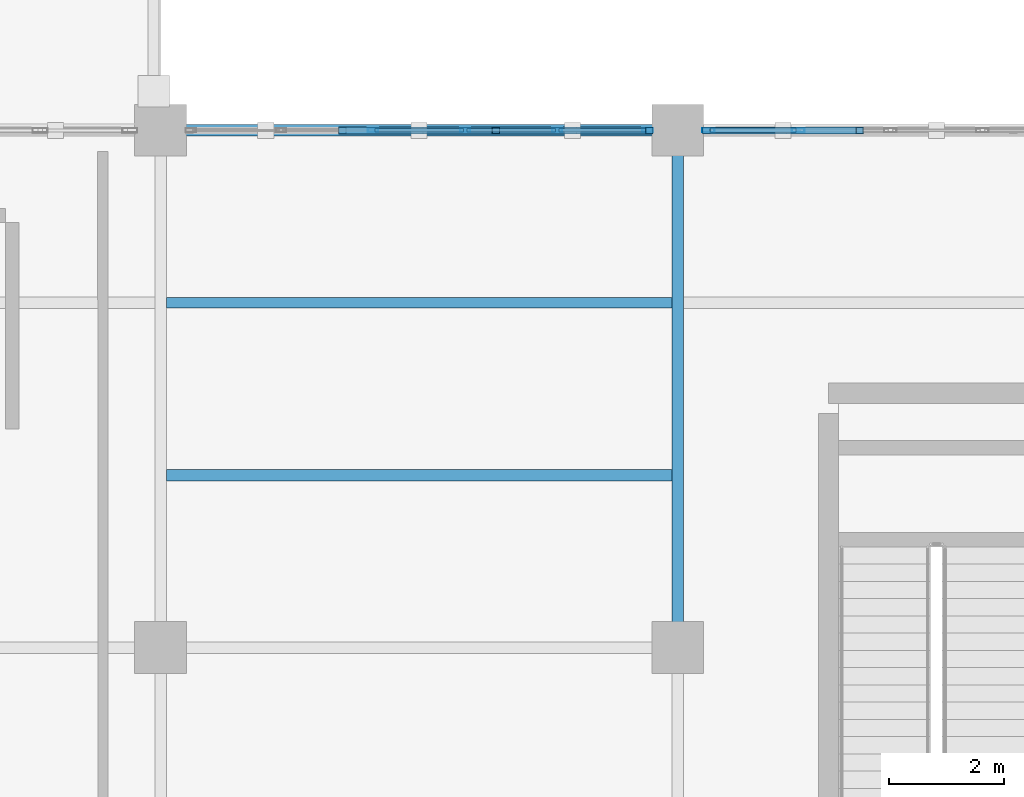
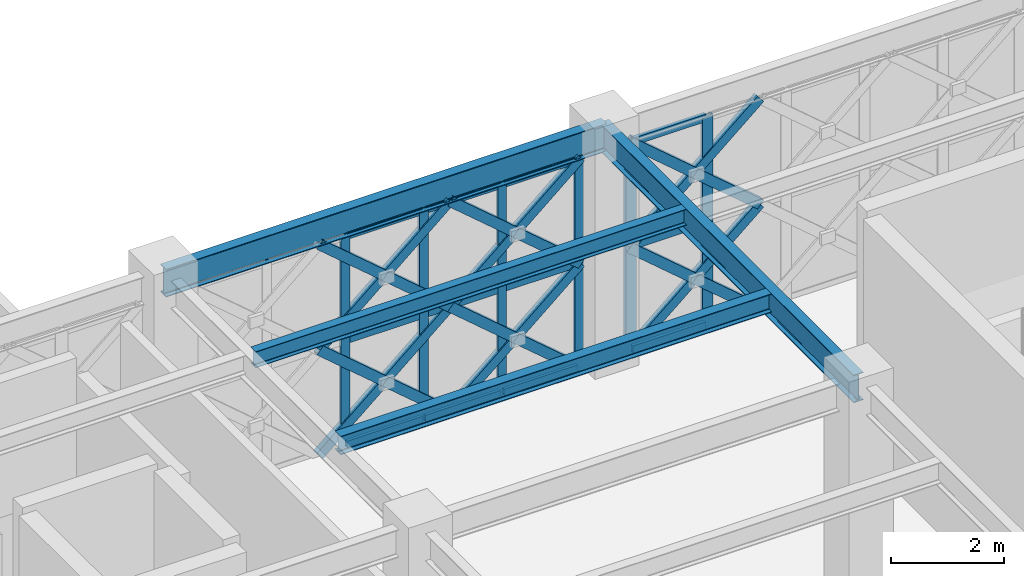
# One storey, part 28 of 155: 36 members, 4 beams, 2 elements without a shape of their own.
"""IFC4 building model written with IfcOpenShell, lengths in metres."""

from ifc_helpers import new_model, si_unit, direction, frame, origin, origin_2d, place, context, subcontext, project, spatial, hollow_rectangle, i_section, extrude, material, material_profile, profile_set, type_object, element, aggregate, save


model = new_model("IFC4")

# Units and contexts
model_context = context("Model", 3, precision=1e-05, world=origin(), true_north=direction((0.0, 1.0)))
body_context = subcontext(model_context, "Body", "Model", "MODEL_VIEW")
ifc_project = project(units=[si_unit("LENGTHUNIT", "METRE"), si_unit("AREAUNIT", "SQUARE_METRE"), si_unit("VOLUMEUNIT", "CUBIC_METRE"), si_unit("PLANEANGLEUNIT", "RADIAN"), si_unit("MASSUNIT", "GRAM", prefix="KILO")], contexts=[model_context])

# Site, building, storey
site_placement = place(None, origin())
site = spatial("IfcSite", under=ifc_project, at=site_placement, CompositionType="ELEMENT")
building_placement = place(site_placement, origin())
building = spatial("IfcBuilding", under=site, at=building_placement, Name="Haizhuo Lancet Aquarium", CompositionType="ELEMENT")
storey_placement = place(building_placement, frame((0.0, 0.0, 10.800048828125)))
storey = spatial("IfcBuildingStorey", under=building, at=storey_placement, Name="L02", CompositionType="ELEMENT", Elevation=10.800048828125)

# Beams
ifc_material_1 = material(Name="Steel S355", Category="steel")
ifc_material_profile_1 = material_profile(ifc_material_1, i_section(OverallWidth=0.199951171875, OverallDepth=0.60009765625, WebThickness=0.010986328125, FlangeThickness=0.01708984375, FilletRadius=0.02197265625, at=origin_2d()), Name="HN 600x200x11x17")
ifc_profile_set_1 = profile_set([ifc_material_profile_1], Name="Steel S355")
beam_type_1 = type_object("IfcBeamType", Name="BM-ST-HN600", PredefinedType="BEAM", material=ifc_profile_set_1)
for number, where, z_axis, x_axis, name in (
    (1, (-54.0, -9.0, 4.85986328125), (1.0, 0.0, 0.0), (0.0, 1.0, 0.0), "L02 V6 primary girder BM-L02-V6-020"),
    (2, (-45.0, -18.0, 4.85986328125), (0.0, 1.0, 0.0), (-1.0, 0.0, 0.0), "L02 V6 primary girder BM-L02-V6-025"),
):
    element("IfcBeam", number, at=place(storey_placement, frame(where, z_axis=z_axis, x_axis=x_axis)), inside=storey, type_object=beam_type_1, Name=name, PredefinedType="BEAM", context=body_context, shape_type="SweptSolid", body=[
        extrude(i_section(OverallWidth=0.199951171875, OverallDepth=0.60009765625, WebThickness=0.010986328125, FlangeThickness=0.01708984375, FilletRadius=0.02197265625, at=origin_2d()), origin(), (0.0, 0.0, 1.0), 9.0),
    ])

# Curtain wall, members
ifc_material_2 = material(Name="Aluminium 6063-T6", Category="aluminium")
curtain_wall_type = type_object("IfcCurtainWallType", Name="CWO-8010x4560", PredefinedType="NOTDEFINED", material=ifc_material_2)
curtain_wall_1_placement = place(storey_placement, origin())
curtain_wall_1 = element("IfcCurtainWall", 3, at=curtain_wall_1_placement, inside=storey, type_object=curtain_wall_type, Name="L02 curtain wall CW-V6-L02-217", PredefinedType="NOTDEFINED")
ifc_material_profile_2 = material_profile(ifc_material_2, hollow_rectangle(XDim=0.06494140625, YDim=0.179931640625, WallThickness=0.00390625, at=origin_2d()), Name="ALU-M 65x180x4")
ifc_profile_set_2 = profile_set([ifc_material_profile_2], Name="Aluminium 6063-T6")
member_type_1 = type_object("IfcMemberType", Name="CW-MUL-1", PredefinedType="MULLION", material=ifc_profile_set_2)
member_1_placement = place(storey_placement, frame((-50.301025390625, -9.0, 0.0), z_axis=(0.0, 0.0, 1.0), x_axis=(0.0, 1.0, 0.0)))
member_1 = element("IfcMember", 4, at=member_1_placement, type_object=member_type_1, Name="CWO-80x45 mullion 3", PredefinedType="MULLION", context=body_context, shape_type="SweptSolid", body=[
    extrude(hollow_rectangle(XDim=0.06494140625, YDim=0.179931640625, WallThickness=0.00390625, at=origin_2d()), origin(), (0.0, 0.0, 1.0), 4.56005859375),
])
member_2_placement = place(storey_placement, frame((-48.698974609375, -9.0, 0.0), z_axis=(0.0, 0.0, 1.0), x_axis=(0.0, 1.0, 0.0)))
member_2 = element("IfcMember", 5, at=member_2_placement, type_object=member_type_1, Name="CWO-80x45 mullion 4", PredefinedType="MULLION", context=body_context, shape_type="SweptSolid", body=[
    extrude(hollow_rectangle(XDim=0.06494140625, YDim=0.179931640625, WallThickness=0.00390625, at=origin_2d()), origin(), (0.0, 0.0, 1.0), 4.56005859375),
])
member_3_placement = place(storey_placement, frame((-47.096923828125, -9.0, 0.0), z_axis=(0.0, 0.0, 1.0), x_axis=(0.0, 1.0, 0.0)))
member_3 = element("IfcMember", 6, at=member_3_placement, type_object=member_type_1, Name="CWO-80x45 mullion 5", PredefinedType="MULLION", context=body_context, shape_type="SweptSolid", body=[
    extrude(hollow_rectangle(XDim=0.06494140625, YDim=0.179931640625, WallThickness=0.00390625, at=origin_2d()), origin(), (0.0, 0.0, 1.0), 4.56005859375),
])
member_4_placement = place(storey_placement, frame((-45.527099609375, -9.0, 0.0), z_axis=(0.0, 0.0, 1.0), x_axis=(0.0, 1.0, 0.0)))
member_4 = element("IfcMember", 7, at=member_4_placement, type_object=member_type_1, Name="CWO-80x45 mullion 6", PredefinedType="MULLION", context=body_context, shape_type="SweptSolid", body=[
    extrude(hollow_rectangle(XDim=0.06494140625, YDim=0.179931640625, WallThickness=0.00390625, at=origin_2d()), origin(), (0.0, 0.0, 1.0), 4.56005859375),
])

curtain_wall_2_placement = place(storey_placement, origin())
curtain_wall_2 = element("IfcCurtainWall", 8, at=curtain_wall_2_placement, inside=storey, type_object=curtain_wall_type, Name="L02 curtain wall CW-V6-L02-218", PredefinedType="NOTDEFINED")
ifc_material_profile_3 = material_profile(ifc_material_2, hollow_rectangle(XDim=0.074951171875, YDim=0.219970703125, WallThickness=0.0048828125, at=origin_2d()), Name="ALU-M 75x220x5")
ifc_profile_set_3 = profile_set([ifc_material_profile_3], Name="Aluminium 6063-T6")
member_type_2 = type_object("IfcMemberType", Name="CW-MUL-2", PredefinedType="MULLION", material=ifc_profile_set_3)
member_5_placement = place(storey_placement, frame((-44.468017578125, -9.0, 0.0), z_axis=(0.0, 0.0, 1.0), x_axis=(0.0, 1.0, 0.0)))
member_5 = element("IfcMember", 9, at=member_5_placement, type_object=member_type_2, Name="CWO-80x45 mullion 1", PredefinedType="MULLION", context=body_context, shape_type="SweptSolid", body=[
    extrude(hollow_rectangle(XDim=0.074951171875, YDim=0.219970703125, WallThickness=0.0048828125, at=origin_2d()), origin(), (0.0, 0.0, 1.0), 4.56005859375),
])
member_6_placement = place(storey_placement, frame((-42.903076171875, -9.0, 0.0), z_axis=(0.0, 0.0, 1.0), x_axis=(0.0, 1.0, 0.0)))
member_6 = element("IfcMember", 10, at=member_6_placement, type_object=member_type_2, Name="CWO-80x45 mullion 2", PredefinedType="MULLION", context=body_context, shape_type="SweptSolid", body=[
    extrude(hollow_rectangle(XDim=0.074951171875, YDim=0.219970703125, WallThickness=0.0048828125, at=origin_2d()), origin(), (0.0, 0.0, 1.0), 4.56005859375),
])

# Member
ifc_material_profile_4 = material_profile(ifc_material_2, hollow_rectangle(XDim=0.06494140625, YDim=0.139892578125, WallThickness=0.00390625, at=origin_2d()), Name="ALU-T 65x140x4")
ifc_profile_set_4 = profile_set([ifc_material_profile_4], Name="Aluminium 6063-T6")
member_type_3 = type_object("IfcMemberType", Name="CW-TRN-1", PredefinedType="NOTDEFINED", material=ifc_profile_set_4)
member_7_placement = place(storey_placement, frame((-50.26904296875, -9.0, 0.032958984375), z_axis=(1.0, 0.0, 0.0), x_axis=(0.0, 1.0, 0.0)))
member_7 = element("IfcMember", 11, at=member_7_placement, type_object=member_type_3, Name="CWO-80x45 transom 3.1", ObjectType="TRANSOM", PredefinedType="USERDEFINED", context=body_context, shape_type="SweptSolid", body=[
    extrude(hollow_rectangle(XDim=0.06494140625, YDim=0.139892578125, WallThickness=0.00390625, at=origin_2d()), origin(), (0.0, 0.0, 1.0), 1.5380859375),
])

member_8_placement = place(storey_placement, frame((-50.26904296875, -9.0, 2.280029296875), z_axis=(1.0, 0.0, 0.0), x_axis=(0.0, 1.0, 0.0)))
member_8 = element("IfcMember", 12, at=member_8_placement, type_object=member_type_3, Name="CWO-80x45 transom 3.2", ObjectType="TRANSOM", PredefinedType="USERDEFINED", context=body_context, shape_type="SweptSolid", body=[
    extrude(hollow_rectangle(XDim=0.06494140625, YDim=0.139892578125, WallThickness=0.00390625, at=origin_2d()), origin(), (0.0, 0.0, 1.0), 1.5380859375),
])

member_9_placement = place(storey_placement, frame((-50.26904296875, -9.0, 4.52685546875), z_axis=(1.0, 0.0, 0.0), x_axis=(0.0, 1.0, 0.0)))
member_9 = element("IfcMember", 13, at=member_9_placement, type_object=member_type_3, Name="CWO-80x45 transom 3.3", ObjectType="TRANSOM", PredefinedType="USERDEFINED", context=body_context, shape_type="SweptSolid", body=[
    extrude(hollow_rectangle(XDim=0.06494140625, YDim=0.139892578125, WallThickness=0.00390625, at=origin_2d()), origin(), (0.0, 0.0, 1.0), 1.5380859375),
])

member_10_placement = place(storey_placement, frame((-48.666015625, -9.0, 0.032958984375), z_axis=(1.0, 0.0, 0.0), x_axis=(0.0, 1.0, 0.0)))
member_10 = element("IfcMember", 14, at=member_10_placement, type_object=member_type_3, Name="CWO-80x45 transom 4.1", ObjectType="TRANSOM", PredefinedType="USERDEFINED", context=body_context, shape_type="SweptSolid", body=[
    extrude(hollow_rectangle(XDim=0.06494140625, YDim=0.139892578125, WallThickness=0.00390625, at=origin_2d()), origin(), (0.0, 0.0, 1.0), 1.5361328125),
])

member_11_placement = place(storey_placement, frame((-48.666015625, -9.0, 2.280029296875), z_axis=(1.0, 0.0, 0.0), x_axis=(0.0, 1.0, 0.0)))
member_11 = element("IfcMember", 15, at=member_11_placement, type_object=member_type_3, Name="CWO-80x45 transom 4.2", ObjectType="TRANSOM", PredefinedType="USERDEFINED", context=body_context, shape_type="SweptSolid", body=[
    extrude(hollow_rectangle(XDim=0.06494140625, YDim=0.139892578125, WallThickness=0.00390625, at=origin_2d()), origin(), (0.0, 0.0, 1.0), 1.5361328125),
])

member_12_placement = place(storey_placement, frame((-48.666015625, -9.0, 4.52685546875), z_axis=(1.0, 0.0, 0.0), x_axis=(0.0, 1.0, 0.0)))
member_12 = element("IfcMember", 16, at=member_12_placement, type_object=member_type_3, Name="CWO-80x45 transom 4.3", ObjectType="TRANSOM", PredefinedType="USERDEFINED", context=body_context, shape_type="SweptSolid", body=[
    extrude(hollow_rectangle(XDim=0.06494140625, YDim=0.139892578125, WallThickness=0.00390625, at=origin_2d()), origin(), (0.0, 0.0, 1.0), 1.5361328125),
])

member_13_placement = place(storey_placement, frame((-47.06396484375, -9.0, 0.032958984375), z_axis=(1.0, 0.0, 0.0), x_axis=(0.0, 1.0, 0.0)))
member_13 = element("IfcMember", 17, at=member_13_placement, type_object=member_type_3, Name="CWO-80x45 transom 5.1", ObjectType="TRANSOM", PredefinedType="USERDEFINED", context=body_context, shape_type="SweptSolid", body=[
    extrude(hollow_rectangle(XDim=0.06494140625, YDim=0.139892578125, WallThickness=0.00390625, at=origin_2d()), origin(), (0.0, 0.0, 1.0), 1.50390625),
])

member_14_placement = place(storey_placement, frame((-47.06396484375, -9.0, 2.280029296875), z_axis=(1.0, 0.0, 0.0), x_axis=(0.0, 1.0, 0.0)))
member_14 = element("IfcMember", 18, at=member_14_placement, type_object=member_type_3, Name="CWO-80x45 transom 5.2", ObjectType="TRANSOM", PredefinedType="USERDEFINED", context=body_context, shape_type="SweptSolid", body=[
    extrude(hollow_rectangle(XDim=0.06494140625, YDim=0.139892578125, WallThickness=0.00390625, at=origin_2d()), origin(), (0.0, 0.0, 1.0), 1.50390625),
])

member_15_placement = place(storey_placement, frame((-47.06396484375, -9.0, 4.52685546875), z_axis=(1.0, 0.0, 0.0), x_axis=(0.0, 1.0, 0.0)))
member_15 = element("IfcMember", 19, at=member_15_placement, type_object=member_type_3, Name="CWO-80x45 transom 5.3", ObjectType="TRANSOM", PredefinedType="USERDEFINED", context=body_context, shape_type="SweptSolid", body=[
    extrude(hollow_rectangle(XDim=0.06494140625, YDim=0.139892578125, WallThickness=0.00390625, at=origin_2d()), origin(), (0.0, 0.0, 1.0), 1.50390625),
])

aggregate(curtain_wall_1, [member_1, member_2, member_3, member_4, member_7, member_8, member_9, member_10, member_11, member_12, member_13, member_14, member_15])

ifc_material_profile_5 = material_profile(ifc_material_2, hollow_rectangle(XDim=0.074951171875, YDim=0.159912109375, WallThickness=0.00390625, at=origin_2d()), Name="ALU-T 75x160x4")
ifc_profile_set_5 = profile_set([ifc_material_profile_5], Name="Aluminium 6063-T6")
member_type_4 = type_object("IfcMemberType", Name="CW-TRN-2", PredefinedType="NOTDEFINED", material=ifc_profile_set_5)
member_16_placement = place(storey_placement, frame((-44.429931640625, -9.0, 0.037841796875), z_axis=(1.0, 0.0, 0.0), x_axis=(0.0, 1.0, 0.0)))
member_16 = element("IfcMember", 20, at=member_16_placement, type_object=member_type_4, Name="CWO-80x45 transom 1.1", ObjectType="TRANSOM", PredefinedType="USERDEFINED", context=body_context, shape_type="SweptSolid", body=[
    extrude(hollow_rectangle(XDim=0.074951171875, YDim=0.159912109375, WallThickness=0.00390625, at=origin_2d()), origin(), (0.0, 0.0, 1.0), 1.489013671875),
])

member_17_placement = place(storey_placement, frame((-44.429931640625, -9.0, 2.280029296875), z_axis=(1.0, 0.0, 0.0), x_axis=(0.0, 1.0, 0.0)))
member_17 = element("IfcMember", 21, at=member_17_placement, type_object=member_type_4, Name="CWO-80x45 transom 1.2", ObjectType="TRANSOM", PredefinedType="USERDEFINED", context=body_context, shape_type="SweptSolid", body=[
    extrude(hollow_rectangle(XDim=0.074951171875, YDim=0.159912109375, WallThickness=0.00390625, at=origin_2d()), origin(), (0.0, 0.0, 1.0), 1.489013671875),
])

member_18_placement = place(storey_placement, frame((-44.429931640625, -9.0, 4.52197265625), z_axis=(1.0, 0.0, 0.0), x_axis=(0.0, 1.0, 0.0)))
member_18 = element("IfcMember", 22, at=member_18_placement, type_object=member_type_4, Name="CWO-80x45 transom 1.3", ObjectType="TRANSOM", PredefinedType="USERDEFINED", context=body_context, shape_type="SweptSolid", body=[
    extrude(hollow_rectangle(XDim=0.074951171875, YDim=0.159912109375, WallThickness=0.00390625, at=origin_2d()), origin(), (0.0, 0.0, 1.0), 1.489013671875),
])

aggregate(curtain_wall_2, [member_5, member_6, member_16, member_17, member_18])

# Beams
ifc_material_profile_6 = material_profile(ifc_material_1, i_section(OverallWidth=0.175048828125, OverallDepth=0.35009765625, WebThickness=0.007080078125, FlangeThickness=0.010986328125, FilletRadius=0.013916015625, at=origin_2d()), Name="HN 350x175x7x11")
ifc_profile_set_6 = profile_set([ifc_material_profile_6], Name="Steel S355")
beam_type_2 = type_object("IfcBeamType", Name="JST-ST-HN350", PredefinedType="JOIST", material=ifc_profile_set_6)
beam_1_placement = place(storey_placement, frame((-53.89990234375, -12.0, 4.98486328125), z_axis=(1.0, 0.0, 0.0), x_axis=(0.0, 1.0, 0.0)))
element("IfcBeam", 23, at=beam_1_placement, inside=storey, type_object=beam_type_2, Name="L02 V6 secondary floor joist 15", PredefinedType="JOIST", context=body_context, shape_type="SweptSolid", body=[
    extrude(i_section(OverallWidth=0.175048828125, OverallDepth=0.35009765625, WebThickness=0.007080078125, FlangeThickness=0.010986328125, FilletRadius=0.013916015625, at=origin_2d()), origin(), (0.0, 0.0, 1.0), 8.7998046875),
])
ifc_material_profile_7 = material_profile(ifc_material_1, i_section(OverallWidth=0.199951171875, OverallDepth=0.39990234375, WebThickness=0.008056640625, FlangeThickness=0.012939453125, FilletRadius=0.01611328125, at=origin_2d()), Name="HN 400x200x8x13")
ifc_profile_set_7 = profile_set([ifc_material_profile_7], Name="Steel S355")
beam_type_3 = type_object("IfcBeamType", Name="JST-ST-HN400", PredefinedType="JOIST", material=ifc_profile_set_7)
beam_2_placement = place(storey_placement, frame((-53.89990234375, -15.0, 4.9599609375), z_axis=(1.0, 0.0, 0.0), x_axis=(0.0, 1.0, 0.0)))
element("IfcBeam", 24, at=beam_2_placement, inside=storey, type_object=beam_type_3, Name="L02 V6 secondary floor joist 14", PredefinedType="JOIST", context=body_context, shape_type="SweptSolid", body=[
    extrude(i_section(OverallWidth=0.199951171875, OverallDepth=0.39990234375, WebThickness=0.008056640625, FlangeThickness=0.012939453125, FilletRadius=0.01611328125, at=origin_2d()), origin(), (0.0, 0.0, 1.0), 8.7998046875),
])

# Members
ifc_material_profile_8 = material_profile(ifc_material_1, hollow_rectangle(XDim=0.1201171875, YDim=0.199951171875, WallThickness=0.008056640625, at=origin_2d()), Name="RHS 120x200x8")
ifc_profile_set_8 = profile_set([ifc_material_profile_8], Name="Steel S355")
member_type_5 = type_object("IfcMemberType", Name="MEM-LB-RHS120x200", PredefinedType="BRACE", material=ifc_profile_set_8)
member_19_placement = place(storey_placement, frame((-50.8349609375, -9.0, 0.0), z_axis=(0.760448077829, 0.0, 0.649398738007), x_axis=(0.0, 1.0, 0.0)))
element("IfcMember", 25, at=member_19_placement, inside=storey, type_object=member_type_5, Name="Gothic lancet continuous diagonal brace CW-V6-L02-217 3A", PredefinedType="BRACE", context=body_context, shape_type="SweptSolid", body=[
    extrude(hollow_rectangle(XDim=0.1201171875, YDim=0.199951171875, WallThickness=0.008056640625, at=origin_2d()), origin(), (0.0, 0.0, 1.0), 3.510986328125),
])
member_20_placement = place(storey_placement, frame((-48.1650390625, -9.0, 0.0), z_axis=(-0.760482417667, 0.0, 0.649358523791), x_axis=(0.0, -1.0, 0.0)))
element("IfcMember", 26, at=member_20_placement, inside=storey, type_object=member_type_5, Name="Gothic lancet split diagonal brace CW-V6-L02-217 3B1", PredefinedType="BRACE", context=body_context, shape_type="SweptSolid", body=[
    extrude(hollow_rectangle(XDim=0.1201171875, YDim=0.199951171875, WallThickness=0.008056640625, at=origin_2d()), origin(), (0.0, 0.0, 1.0), 1.75537109375),
])
member_21_placement = place(storey_placement, frame((-49.5, -9.0, 1.139892578125), z_axis=(-0.760413738967, 0.0, 0.649438946777), x_axis=(0.0, -1.0, 0.0)))
element("IfcMember", 27, at=member_21_placement, inside=storey, type_object=member_type_5, Name="Gothic lancet split diagonal brace CW-V6-L02-217 3B2", PredefinedType="BRACE", context=body_context, shape_type="SweptSolid", body=[
    extrude(hollow_rectangle(XDim=0.1201171875, YDim=0.199951171875, WallThickness=0.008056640625, at=origin_2d()), origin(), (0.0, 0.0, 1.0), 1.755615234375),
])
member_22_placement = place(storey_placement, frame((-50.8349609375, -9.0, 2.280029296875), z_axis=(0.760448077829, 0.0, 0.649398738007), x_axis=(0.0, 1.0, 0.0)))
element("IfcMember", 28, at=member_22_placement, inside=storey, type_object=member_type_5, Name="Gothic lancet continuous diagonal brace CW-V6-L02-217 4A", PredefinedType="BRACE", context=body_context, shape_type="SweptSolid", body=[
    extrude(hollow_rectangle(XDim=0.1201171875, YDim=0.199951171875, WallThickness=0.008056640625, at=origin_2d()), origin(), (0.0, 0.0, 1.0), 3.510986328125),
])
member_23_placement = place(storey_placement, frame((-48.1650390625, -9.0, 2.280029296875), z_axis=(-0.760482417667, 0.0, 0.649358523791), x_axis=(0.0, -1.0, 0.0)))
element("IfcMember", 29, at=member_23_placement, inside=storey, type_object=member_type_5, Name="Gothic lancet split diagonal brace CW-V6-L02-217 4B1", PredefinedType="BRACE", context=body_context, shape_type="SweptSolid", body=[
    extrude(hollow_rectangle(XDim=0.1201171875, YDim=0.199951171875, WallThickness=0.008056640625, at=origin_2d()), origin(), (0.0, 0.0, 1.0), 1.75537109375),
])
member_24_placement = place(storey_placement, frame((-49.5, -9.0, 3.419921875), z_axis=(-0.760413738967, 0.0, 0.649438946777), x_axis=(0.0, -1.0, 0.0)))
element("IfcMember", 30, at=member_24_placement, inside=storey, type_object=member_type_5, Name="Gothic lancet split diagonal brace CW-V6-L02-217 4B2", PredefinedType="BRACE", context=body_context, shape_type="SweptSolid", body=[
    extrude(hollow_rectangle(XDim=0.1201171875, YDim=0.199951171875, WallThickness=0.008056640625, at=origin_2d()), origin(), (0.0, 0.0, 1.0), 1.755615234375),
])
member_25_placement = place(storey_placement, frame((-48.1650390625, -9.0, 0.0), z_axis=(0.760448077829, 0.0, 0.649398738007), x_axis=(0.0, 1.0, 0.0)))
element("IfcMember", 31, at=member_25_placement, inside=storey, type_object=member_type_5, Name="Gothic lancet continuous diagonal brace CW-V6-L02-217 5A", PredefinedType="BRACE", context=body_context, shape_type="SweptSolid", body=[
    extrude(hollow_rectangle(XDim=0.1201171875, YDim=0.199951171875, WallThickness=0.008056640625, at=origin_2d()), origin(), (0.0, 0.0, 1.0), 3.510986328125),
])
member_26_placement = place(storey_placement, frame((-45.4951171875, -9.0, 0.0), z_axis=(-0.760482417667, 0.0, 0.649358523791), x_axis=(0.0, -1.0, 0.0)))
element("IfcMember", 32, at=member_26_placement, inside=storey, type_object=member_type_5, Name="Gothic lancet split diagonal brace CW-V6-L02-217 5B1", PredefinedType="BRACE", context=body_context, shape_type="SweptSolid", body=[
    extrude(hollow_rectangle(XDim=0.1201171875, YDim=0.199951171875, WallThickness=0.008056640625, at=origin_2d()), origin(), (0.0, 0.0, 1.0), 1.75537109375),
])
member_27_placement = place(storey_placement, frame((-46.830078125, -9.0, 1.139892578125), z_axis=(-0.760413738967, 0.0, 0.649438946777), x_axis=(0.0, -1.0, 0.0)))
element("IfcMember", 33, at=member_27_placement, inside=storey, type_object=member_type_5, Name="Gothic lancet split diagonal brace CW-V6-L02-217 5B2", PredefinedType="BRACE", context=body_context, shape_type="SweptSolid", body=[
    extrude(hollow_rectangle(XDim=0.1201171875, YDim=0.199951171875, WallThickness=0.008056640625, at=origin_2d()), origin(), (0.0, 0.0, 1.0), 1.755615234375),
])
member_28_placement = place(storey_placement, frame((-48.1650390625, -9.0, 2.280029296875), z_axis=(0.760448077829, 0.0, 0.649398738007), x_axis=(0.0, 1.0, 0.0)))
element("IfcMember", 34, at=member_28_placement, inside=storey, type_object=member_type_5, Name="Gothic lancet continuous diagonal brace CW-V6-L02-217 6A", PredefinedType="BRACE", context=body_context, shape_type="SweptSolid", body=[
    extrude(hollow_rectangle(XDim=0.1201171875, YDim=0.199951171875, WallThickness=0.008056640625, at=origin_2d()), origin(), (0.0, 0.0, 1.0), 3.510986328125),
])
member_29_placement = place(storey_placement, frame((-45.4951171875, -9.0, 2.280029296875), z_axis=(-0.760482417667, 0.0, 0.649358523791), x_axis=(0.0, -1.0, 0.0)))
element("IfcMember", 35, at=member_29_placement, inside=storey, type_object=member_type_5, Name="Gothic lancet split diagonal brace CW-V6-L02-217 6B1", PredefinedType="BRACE", context=body_context, shape_type="SweptSolid", body=[
    extrude(hollow_rectangle(XDim=0.1201171875, YDim=0.199951171875, WallThickness=0.008056640625, at=origin_2d()), origin(), (0.0, 0.0, 1.0), 1.75537109375),
])
member_30_placement = place(storey_placement, frame((-46.830078125, -9.0, 3.419921875), z_axis=(-0.760413738967, 0.0, 0.649438946777), x_axis=(0.0, -1.0, 0.0)))
element("IfcMember", 36, at=member_30_placement, inside=storey, type_object=member_type_5, Name="Gothic lancet split diagonal brace CW-V6-L02-217 6B2", PredefinedType="BRACE", context=body_context, shape_type="SweptSolid", body=[
    extrude(hollow_rectangle(XDim=0.1201171875, YDim=0.199951171875, WallThickness=0.008056640625, at=origin_2d()), origin(), (0.0, 0.0, 1.0), 1.755615234375),
])
member_31_placement = place(storey_placement, frame((-44.5048828125, -9.0, 0.0), z_axis=(0.760448077829, 0.0, 0.649398738007), x_axis=(0.0, 1.0, 0.0)))
element("IfcMember", 37, at=member_31_placement, inside=storey, type_object=member_type_5, Name="Gothic lancet continuous diagonal brace CW-V6-L02-218 1A", PredefinedType="BRACE", context=body_context, shape_type="SweptSolid", body=[
    extrude(hollow_rectangle(XDim=0.1201171875, YDim=0.199951171875, WallThickness=0.008056640625, at=origin_2d()), origin(), (0.0, 0.0, 1.0), 3.510986328125),
])
member_32_placement = place(storey_placement, frame((-41.8349609375, -9.0, 0.0), z_axis=(-0.760482417667, 0.0, 0.649358523791), x_axis=(0.0, -1.0, 0.0)))
element("IfcMember", 38, at=member_32_placement, inside=storey, type_object=member_type_5, Name="Gothic lancet split diagonal brace CW-V6-L02-218 1B1", PredefinedType="BRACE", context=body_context, shape_type="SweptSolid", body=[
    extrude(hollow_rectangle(XDim=0.1201171875, YDim=0.199951171875, WallThickness=0.008056640625, at=origin_2d()), origin(), (0.0, 0.0, 1.0), 1.75537109375),
])
member_33_placement = place(storey_placement, frame((-43.169921875, -9.0, 1.139892578125), z_axis=(-0.760413738967, 0.0, 0.649438946777), x_axis=(0.0, -1.0, 0.0)))
element("IfcMember", 39, at=member_33_placement, inside=storey, type_object=member_type_5, Name="Gothic lancet split diagonal brace CW-V6-L02-218 1B2", PredefinedType="BRACE", context=body_context, shape_type="SweptSolid", body=[
    extrude(hollow_rectangle(XDim=0.1201171875, YDim=0.199951171875, WallThickness=0.008056640625, at=origin_2d()), origin(), (0.0, 0.0, 1.0), 1.755615234375),
])
member_34_placement = place(storey_placement, frame((-44.5048828125, -9.0, 2.280029296875), z_axis=(0.760448077829, 0.0, 0.649398738007), x_axis=(0.0, 1.0, 0.0)))
element("IfcMember", 40, at=member_34_placement, inside=storey, type_object=member_type_5, Name="Gothic lancet continuous diagonal brace CW-V6-L02-218 2A", PredefinedType="BRACE", context=body_context, shape_type="SweptSolid", body=[
    extrude(hollow_rectangle(XDim=0.1201171875, YDim=0.199951171875, WallThickness=0.008056640625, at=origin_2d()), origin(), (0.0, 0.0, 1.0), 3.510986328125),
])
member_35_placement = place(storey_placement, frame((-41.8349609375, -9.0, 2.280029296875), z_axis=(-0.760482417667, 0.0, 0.649358523791), x_axis=(0.0, -1.0, 0.0)))
element("IfcMember", 41, at=member_35_placement, inside=storey, type_object=member_type_5, Name="Gothic lancet split diagonal brace CW-V6-L02-218 2B1", PredefinedType="BRACE", context=body_context, shape_type="SweptSolid", body=[
    extrude(hollow_rectangle(XDim=0.1201171875, YDim=0.199951171875, WallThickness=0.008056640625, at=origin_2d()), origin(), (0.0, 0.0, 1.0), 1.75537109375),
])
member_36_placement = place(storey_placement, frame((-43.169921875, -9.0, 3.419921875), z_axis=(-0.760413738967, 0.0, 0.649438946777), x_axis=(0.0, -1.0, 0.0)))
element("IfcMember", 42, at=member_36_placement, inside=storey, type_object=member_type_5, Name="Gothic lancet split diagonal brace CW-V6-L02-218 2B2", PredefinedType="BRACE", context=body_context, shape_type="SweptSolid", body=[
    extrude(hollow_rectangle(XDim=0.1201171875, YDim=0.199951171875, WallThickness=0.008056640625, at=origin_2d()), origin(), (0.0, 0.0, 1.0), 1.755615234375),
])

save(model, "model.ifc")
